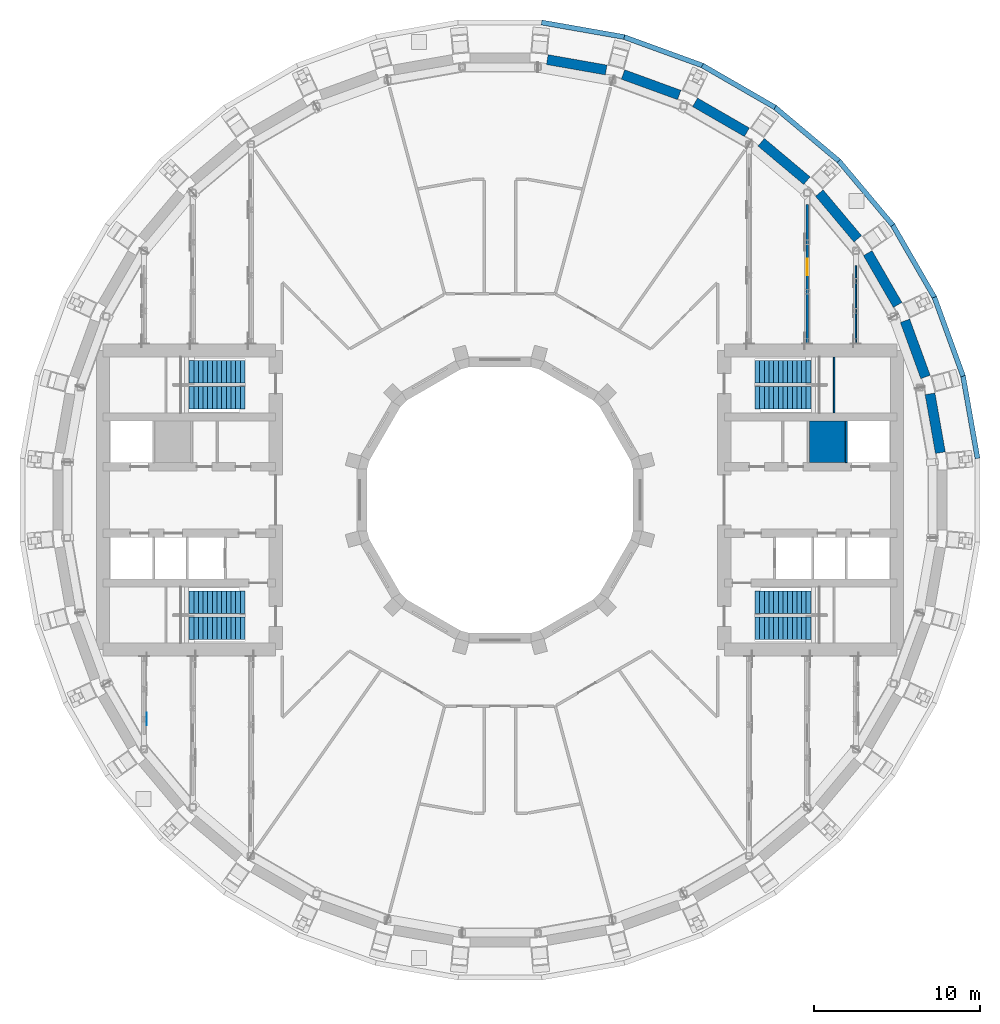
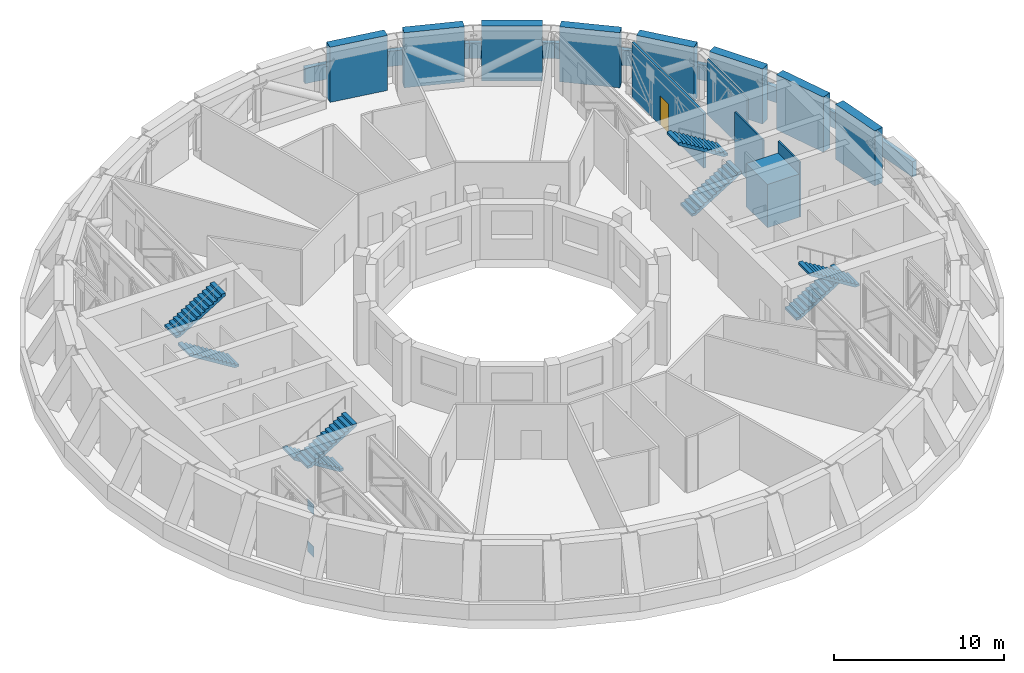
# One storey, part 13 of 19: 21 walls, 8 stair flights, 2 discrete accessories, 1 door, 1 opening, 4 elements without a shape of their own.
"""IFC4 building model written with IfcOpenShell, lengths in metres."""

from ifc_helpers import new_model, si_unit, direction, frame, frame_2d, origin, origin_2d, place, context, subcontext, project, spatial, polyline, rectangle, outline, extrude, material, layer, layer_set, material_profile, profile_set, type_object, element, fill, aggregate, save


model = new_model("IFC4")

# Units and contexts
model_context = context("Model", 3, precision=1e-05, world=origin(), true_north=direction((0.0, 1.0)))
body_context = subcontext(model_context, "Body", "Model", "MODEL_VIEW")
ifc_project = project(units=[si_unit("LENGTHUNIT", "METRE"), si_unit("AREAUNIT", "SQUARE_METRE"), si_unit("VOLUMEUNIT", "CUBIC_METRE"), si_unit("PLANEANGLEUNIT", "RADIAN"), si_unit("MASSUNIT", "GRAM", prefix="KILO")], contexts=[model_context])

# Site, building, storey
site_placement = place(None, origin())
site = spatial("IfcSite", under=ifc_project, at=site_placement, CompositionType="ELEMENT")
building_placement = place(site_placement, origin())
building = spatial("IfcBuilding", under=site, at=building_placement, Name="Saqina Gate Tower", CompositionType="ELEMENT")
storey_placement = place(building_placement, frame((0.0, 0.0, 82.39990234375)))
storey = spatial("IfcBuildingStorey", under=building, at=storey_placement, Name="L23", CompositionType="ELEMENT", Elevation=82.39990234375)

# Walls
ifc_material_1 = material(Name="Brick masonry (buff)", Category="masonry")
ifc_layer_1 = layer(ifc_material_1, 0.60009765625)
ifc_layer_set_1 = layer_set([ifc_layer_1], Name="FW-BRICK-BUFF")
wall_type_1 = type_object("IfcWallType", Name="FW-BRICK-BUFF", PredefinedType="SOLIDWALL", material=ifc_layer_set_1)
for number, where, z_axis, x_axis, name in (
    (1, (23.933349609375, 11.74072265625, 0.0), (0.0, 0.0, 1.0), (-0.499992664208, 0.866029639064, 0.0), "Facade wall L23 facet 3"),
    (2, (21.531005859375, 15.718505859375, 0.0), (0.0, 0.0, 1.0), (-0.642797301232, 0.766036310843, 0.0), "Facade wall L23 facet 4"),
    (3, (18.474365234375, 19.218505859375, 0.0), (0.0, 0.0, 1.0), (-0.766036310843, 0.642797301232, 0.0), "Facade wall L23 facet 5"),
    (4, (14.8564453125, 22.134521484375, 0.0), (0.0, 0.0, 1.0), (-0.866029639064, 0.499992664208, 0.0), "Facade wall L23 facet 6"),
    (5, (10.787109375, 24.3779296875, 0.0), (0.0, 0.0, 1.0), (-0.939690348845, 0.342026385367, 0.0), "Facade wall L23 facet 7"),
    (6, (6.39013671875, 25.880859375, 0.0), (0.0, 0.0, 1.0), (-0.984806095124, 0.173657579756, 0.0), "Facade wall L23 facet 8"),
):
    element("IfcWall", number, at=place(storey_placement, frame(where, z_axis=z_axis, x_axis=x_axis)), inside=storey, type_object=wall_type_1, Name=name, PredefinedType="SOLIDWALL", context=body_context, shape_type="SweptSolid", body=[
        extrude(rectangle(XDim=3.59765625, YDim=0.60009765625, at=frame_2d((1.798828125, 0.0))), origin(), (0.0, 0.0, 1.0), 3.9501953125),
    ])
ifc_material_2 = material(Name="Glazed ceramic tile", Category="ceramic")
ifc_layer_2 = layer(ifc_material_2, 0.60009765625)
ifc_layer_set_2 = layer_set([ifc_layer_2], Name="FW-TILE")
wall_type_2 = type_object("IfcWallType", Name="FW-TILE", PredefinedType="SOLIDWALL", material=ifc_layer_set_2)
wall_1_placement = place(storey_placement, frame((25.6083984375, 7.406494140625, 0.0), z_axis=(0.0, 0.0, 1.0), x_axis=(-0.342026385367, 0.939690348845, 0.0)))
element("IfcWall", 7, at=wall_1_placement, inside=storey, type_object=wall_type_2, Name="Facade wall L23 facet 2", PredefinedType="SOLIDWALL", context=body_context, shape_type="SweptSolid", body=[
    extrude(rectangle(XDim=3.59765625, YDim=0.60009765625, at=frame_2d((1.798828125, 0.0))), origin(), (0.0, 0.0, 1.0), 3.9501953125),
])
ifc_material_3 = material(Name="Glazed ceramic tile (white)", Category="ceramic")
ifc_layer_3 = layer(ifc_material_3, 0.60009765625)
ifc_layer_set_3 = layer_set([ifc_layer_3], Name="FW-TILE-WH")
wall_type_3 = type_object("IfcWallType", Name="FW-TILE-WH", PredefinedType="SOLIDWALL", material=ifc_layer_set_3)
wall_2_placement = place(storey_placement, frame((26.505615234375, 2.84716796875, 0.0), z_axis=(0.0, 0.0, 1.0), x_axis=(-0.173657579756, 0.984806095124, 0.0)))
element("IfcWall", 8, at=wall_2_placement, inside=storey, type_object=wall_type_3, Name="Facade wall L23 facet 1", PredefinedType="SOLIDWALL", context=body_context, shape_type="SweptSolid", body=[
    extrude(rectangle(XDim=3.59765625, YDim=0.60009765625, at=frame_2d((1.798828125, 0.0))), origin(), (0.0, 0.0, 1.0), 3.9501953125),
])
ifc_material_4 = material(Name="Concrete C40/50", Category="concrete")
ifc_layer_4 = layer(ifc_material_4, 2.5)
ifc_layer_set_4 = layer_set([ifc_layer_4], Name="Concrete C40/50")
wall_type_4 = type_object("IfcWallType", Name="LIFT PIT PEDESTAL 2500", PredefinedType="SOLIDWALL", material=ifc_layer_set_4)
wall_3_placement = place(storey_placement, frame((18.6201171875, 3.5, 0.0), z_axis=(0.0, 0.0, 1.0), x_axis=(1.0, 0.0, 0.0)))
element("IfcWall", 9, at=wall_3_placement, inside=storey, type_object=wall_type_4, Name="LIFT PIT BASE MR1", PredefinedType="SOLIDWALL", context=body_context, shape_type="SweptSolid", body=[
    extrude(rectangle(XDim=2.159912109375, YDim=2.5, at=frame_2d((1.080078125, 0.0))), origin(), (0.0, 0.0, 1.0), 3.10009765625),
])
ifc_material_5 = material(Name="Brick masonry (buff)", Category="masonry")
ifc_layer_5 = layer(ifc_material_5, 0.300048828125)
ifc_layer_set_5 = layer_set([ifc_layer_5], Name="PA-ROOF")
wall_type_5 = type_object("IfcWallType", Name="PA-ROOF", PredefinedType="PARAPET", material=ifc_layer_set_5)
wall_4_placement = place(storey_placement, frame((28.741943359375, 2.50146484375, 0.0), z_axis=(0.0, 0.0, 1.0), x_axis=(-0.173672372016, 0.984803486589, 0.0)))
element("IfcWall", 10, at=wall_4_placement, inside=storey, type_object=wall_type_5, Name="Parapet L23 edge 1", PredefinedType="PARAPET", context=body_context, shape_type="SweptSolid", body=[
    extrude(rectangle(XDim=5.05517578125, YDim=0.300048828125, at=frame_2d((2.527587890625, 0.0))), origin(), (0.0, 0.0, 1.0), 1.10009765625),
])
for number, where, z_axis, x_axis, name in (
    (11, (27.870849609375, 7.454345703125, 0.0), (0.0, 0.0, 1.0), (-0.341987354158, 0.939704554419, 0.0), "Parapet L23 edge 2"),
    (12, (26.153076171875, 12.180908203125, 0.0), (0.0, 0.0, 1.0), (-0.500019282102, 0.866014270972, 0.0), "Parapet L23 edge 3"),
    (13, (23.640380859375, 16.537353515625, 0.0), (0.0, 0.0, 1.0), (-0.64278876462, 0.766043474013, 0.0), "Parapet L23 edge 4"),
    (14, (20.40966796875, 20.39111328125, 0.0), (0.0, 0.0, 1.0), (-0.766043474013, 0.64278876462, 0.0), "Parapet L23 edge 5"),
    (15, (16.55859375, 23.62548828125, 0.0), (0.0, 0.0, 1.0), (-0.866014270972, 0.500019282102, 0.0), "Parapet L23 edge 6"),
    (16, (12.20458984375, 26.14208984375, 0.0), (0.0, 0.0, 1.0), (-0.939704554419, 0.341987354158, 0.0), "Parapet L23 edge 7"),
):
    element("IfcWall", number, at=place(storey_placement, frame(where, z_axis=z_axis, x_axis=x_axis)), inside=storey, type_object=wall_type_5, Name=name, PredefinedType="PARAPET", context=body_context, shape_type="SweptSolid", body=[
        extrude(rectangle(XDim=5.054931640625, YDim=0.300048828125, at=frame_2d((2.52734375, 0.0))), origin(), (0.0, 0.0, 1.0), 1.10009765625),
    ])
wall_5_placement = place(storey_placement, frame((7.479736328125, 27.864013671875, 0.0), z_axis=(0.0, 0.0, 1.0), x_axis=(-0.984803486589, 0.173672372016, 0.0)))
element("IfcWall", 17, at=wall_5_placement, inside=storey, type_object=wall_type_5, Name="Parapet L23 edge 8", PredefinedType="PARAPET", context=body_context, shape_type="SweptSolid", body=[
    extrude(rectangle(XDim=5.05517578125, YDim=0.300048828125, at=frame_2d((2.527587890625, 0.0))), origin(), (0.0, 0.0, 1.0), 1.10009765625),
])
ifc_material_6 = material(Name="Autoclaved aerated concrete block", Category="concrete")
ifc_layer_6 = layer(ifc_material_6, 0.1201171875)
ifc_layer_set_6 = layer_set([ifc_layer_6], Name="SHAFT PARTITION")
wall_type_6 = type_object("IfcWallType", Name="SHAFT PARTITION", PredefinedType="PARTITIONING", material=ifc_layer_set_6)
wall_6_placement = place(storey_placement, frame((20.840087890625, 2.25, 0.0), z_axis=(0.0, 0.0, 1.0), x_axis=(0.0, 1.0, 0.0)))
element("IfcWall", 18, at=wall_6_placement, inside=storey, type_object=wall_type_6, Name="L23-CP-E03", PredefinedType="PARTITIONING", context=body_context, shape_type="SweptSolid", body=[
    extrude(rectangle(XDim=2.5, YDim=0.1201171875, at=frame_2d((1.25, 0.0))), origin(), (0.0, 0.0, 1.0), 3.9501953125),
])
ifc_material_7 = material(Name="Gypsum board on steel studs, 100 mm", Category="steel")
ifc_layer_7 = layer(ifc_material_7, 0.10009765625)
ifc_layer_set_7 = layer_set([ifc_layer_7], Name="SPECIAL PARTITION 100")
wall_type_7 = type_object("IfcWallType", Name="SPECIAL PARTITION 100", PredefinedType="PARTITIONING", material=ifc_layer_set_7)
wall_7_placement = place(storey_placement, frame((21.4208984375, 9.39990234375, 0.0), z_axis=(0.0, 0.0, 1.0), x_axis=(0.0, 1.0, 0.0)))
element("IfcWall", 19, at=wall_7_placement, inside=storey, type_object=wall_type_7, Name="PARTITION 028", PredefinedType="PARTITIONING", context=body_context, shape_type="SweptSolid", body=[
    extrude(rectangle(XDim=4.7021484375, YDim=0.10009765625, at=frame_2d((2.35107421875, 0.0))), origin(), (0.0, 0.0, 1.0), 3.9501953125),
])

# Wall, opening, door
ifc_material_8 = material(Name="Masonry block and plaster, 150 mm, fire rated", Category="masonry")
ifc_layer_8 = layer(ifc_material_8, 0.14990234375)
ifc_layer_set_8 = layer_set([ifc_layer_8], Name="SPECIAL PARTITION EI 60 150")
wall_type_8 = type_object("IfcWallType", Name="SPECIAL PARTITION EI 60 150", PredefinedType="PARTITIONING", material=ifc_layer_set_8)
wall_8_placement = place(storey_placement, frame((18.490966796875, 9.39990234375, 0.0), z_axis=(0.0, 0.0, 1.0), x_axis=(0.0, 1.0, 0.0)))
wall_8 = element("IfcWall", 20, at=wall_8_placement, inside=storey, type_object=wall_type_8, Name="PARTITION 030", PredefinedType="PARTITIONING", context=body_context, shape_type="SweptSolid", body=[
    extrude(rectangle(XDim=8.39404296875, YDim=0.14990234375, at=frame_2d((4.197021484375, 0.0))), origin(), (0.0, 0.0, 1.0), 3.9501953125),
])
opening_placement = place(wall_8_placement, frame((4.12939453125, 0.0, 0.0)))
opening = element("IfcOpeningElement", 21, at=opening_placement, cuts=wall_8, Name="Opening L23-D01", PredefinedType="OPENING", context=body_context, shape_type="SweptSolid", body=[
    extrude(rectangle(XDim=1.0, YDim=2.10009765625, at=frame_2d((0.5, 1.050048828125))), frame((0.0, 0.0869140625, 0.0), z_axis=(0.0, -1.0, 0.0), x_axis=(1.0, 0.0, 0.0)), (0.0, 0.0, 1.0), 0.173828125),
])
ifc_material_9 = material(Name="Steel-framed fire door leaf, EI 60", Category="steel")
door_type = type_object("IfcDoorType", Name="SPECIAL DOOR 1000 FIRE EI 60", OperationType="SINGLE_SWING_LEFT", PredefinedType="DOOR", material=ifc_material_9)
door_placement = place(opening_placement, origin())
door = element("IfcDoor", 22, at=door_placement, inside=storey, type_object=door_type, Name="DOOR L23-D01", OperationType="SINGLE_SWING_RIGHT", OverallHeight=2.10009765625, OverallWidth=1.0, PredefinedType="DOOR", context=body_context, shape_type="SweptSolid", body=[
    extrude(rectangle(XDim=1.0, YDim=2.10009765625, at=frame_2d((0.5, 1.050048828125))), frame((0.0, 0.02490234375, 0.0), z_axis=(0.0, -1.0, 0.0), x_axis=(1.0, 0.0, 0.0)), (0.0, 0.0, 1.0), 0.050048828125),
])
fill(opening, door)

# Wall
ifc_material_10 = material(Name="Autoclaved aerated concrete block", Category="concrete")
ifc_layer_9 = layer(ifc_material_10, 0.10009765625)
ifc_layer_set_9 = layer_set([ifc_layer_9], Name="STAIR ENCLOSURE WALL")
wall_type_9 = type_object("IfcWallType", Name="STAIR ENCLOSURE WALL", PredefinedType="PARTITIONING", material=ifc_layer_set_9)
wall_9_placement = place(storey_placement, frame((20.110107421875, 5.25, 0.0), z_axis=(0.0, 0.0, 1.0), x_axis=(0.0, 1.0, 0.0)))
element("IfcWall", 23, at=wall_9_placement, inside=storey, type_object=wall_type_9, Name="L23-CP-E07", PredefinedType="PARTITIONING", context=body_context, shape_type="SweptSolid", body=[
    extrude(rectangle(XDim=3.35009765625, YDim=0.10009765625, at=frame_2d((1.675048828125, 0.0))), origin(), (0.0, 0.0, 1.0), 3.9501953125),
])

# Stair, stair flights
ifc_material_11 = material(Name="Concrete C40/50", Category="concrete")
stair_type = type_object("IfcStairType", Name="EXIT STAIR", PredefinedType="HALF_TURN_STAIR", material=ifc_material_11)
stair_1_placement = place(storey_placement, origin())
stair_1 = element("IfcStair", 24, at=stair_1_placement, inside=storey, type_object=stair_type, Name="EXIT STAIR 1", PredefinedType="HALF_TURN_STAIR")
ifc_material_12 = material(Name="Concrete C40/50", Category="concrete")
stair_flight_type = type_object("IfcStairFlightType", Name="EXIT STAIR FLIGHT", PredefinedType="STRAIGHT", material=ifc_material_12)
stair_flight_1_placement = place(storey_placement, frame((15.35009765625, 6.1416015625, 0.0), z_axis=(0.0, 0.0, 1.0), x_axis=(1.0, 0.0, 0.0)))
stair_flight_1 = element("IfcStairFlight", 25, at=stair_flight_1_placement, type_object=stair_flight_type, Name="EXIT STAIR 1 FLIGHT 1", NumberOfRisers=13, NumberOfTreads=12, PredefinedType="STRAIGHT", RiserHeight=0.173076923, TreadLength=0.28, context=body_context, shape_type="SweptSolid", body=[
    extrude(outline(polyline([(0.0, 0.0), (0.0, 0.173095703125), (0.280029296875, 0.173095703125), (0.280029296875, 0.34619140625), (0.56005859375, 0.34619140625), (0.56005859375, 0.519287109375), (0.840087890625, 0.519287109375), (0.840087890625, 0.6923828125), (1.1201171875, 0.6923828125), (1.1201171875, 0.865478515625), (1.39990234375, 0.865478515625), (1.39990234375, 1.03857421875), (1.679931640625, 1.03857421875), (1.679931640625, 1.21142578125), (1.9599609375, 1.21142578125), (1.9599609375, 1.384521484375), (2.239990234375, 1.384521484375), (2.239990234375, 1.5576171875), (2.52001953125, 1.5576171875), (2.52001953125, 1.730712890625), (2.800048828125, 1.730712890625), (2.800048828125, 1.90380859375), (3.080078125, 1.90380859375), (3.080078125, 2.076904296875), (3.360107421875, 2.076904296875), (3.360107421875, 2.25), (3.360107421875, 1.900634765625), (0.28515625, 0.0), (0.0, 0.0)])), frame((0.0, 0.675048828125, 0.0), z_axis=(0.0, -1.0, 0.0), x_axis=(1.0, 0.0, 0.0)), (0.0, 0.0, 1.0), 1.35009765625),
])
stair_flight_2_placement = place(storey_placement, frame((18.7099609375, 7.708251953125, 2.25), z_axis=(0.0, 0.0, 1.0), x_axis=(-1.0, 0.0, 0.0)))
stair_flight_2 = element("IfcStairFlight", 26, at=stair_flight_2_placement, type_object=stair_flight_type, Name="EXIT STAIR 1 FLIGHT 2", NumberOfRisers=13, NumberOfTreads=12, PredefinedType="STRAIGHT", RiserHeight=0.173076923, TreadLength=0.28, context=body_context, shape_type="SweptSolid", body=[
    extrude(outline(polyline([(0.0, 0.0), (0.0, 0.173095703125), (0.280029296875, 0.173095703125), (0.280029296875, 0.34619140625), (0.56005859375, 0.34619140625), (0.56005859375, 0.519287109375), (0.840087890625, 0.519287109375), (0.840087890625, 0.6923828125), (1.1201171875, 0.6923828125), (1.1201171875, 0.865478515625), (1.39990234375, 0.865478515625), (1.39990234375, 1.03857421875), (1.679931640625, 1.03857421875), (1.679931640625, 1.21142578125), (1.9599609375, 1.21142578125), (1.9599609375, 1.384521484375), (2.239990234375, 1.384521484375), (2.239990234375, 1.5576171875), (2.52001953125, 1.5576171875), (2.52001953125, 1.730712890625), (2.800048828125, 1.730712890625), (2.800048828125, 1.90380859375), (3.080078125, 1.90380859375), (3.080078125, 2.076904296875), (3.360107421875, 2.076904296875), (3.360107421875, 2.25), (3.360107421875, 1.900634765625), (0.28515625, 0.0), (0.0, 0.0)])), frame((0.0, 0.675048828125, 0.0), z_axis=(0.0, -1.0, 0.0), x_axis=(1.0, 0.0, 0.0)), (0.0, 0.0, 1.0), 1.35009765625),
])
aggregate(stair_1, [stair_flight_1, stair_flight_2])

stair_2_placement = place(storey_placement, origin())
stair_2 = element("IfcStair", 27, at=stair_2_placement, inside=storey, type_object=stair_type, Name="EXIT STAIR 2", PredefinedType="HALF_TURN_STAIR")
stair_flight_3_placement = place(storey_placement, frame((15.35009765625, -6.1416015625, 0.0), z_axis=(0.0, 0.0, 1.0), x_axis=(1.0, 0.0, 0.0)))
stair_flight_3 = element("IfcStairFlight", 28, at=stair_flight_3_placement, type_object=stair_flight_type, Name="EXIT STAIR 2 FLIGHT 1", NumberOfRisers=13, NumberOfTreads=12, PredefinedType="STRAIGHT", RiserHeight=0.173076923, TreadLength=0.28, context=body_context, shape_type="SweptSolid", body=[
    extrude(outline(polyline([(0.0, 0.0), (0.0, 0.173095703125), (0.280029296875, 0.173095703125), (0.280029296875, 0.34619140625), (0.56005859375, 0.34619140625), (0.56005859375, 0.519287109375), (0.840087890625, 0.519287109375), (0.840087890625, 0.6923828125), (1.1201171875, 0.6923828125), (1.1201171875, 0.865478515625), (1.39990234375, 0.865478515625), (1.39990234375, 1.03857421875), (1.679931640625, 1.03857421875), (1.679931640625, 1.21142578125), (1.9599609375, 1.21142578125), (1.9599609375, 1.384521484375), (2.239990234375, 1.384521484375), (2.239990234375, 1.5576171875), (2.52001953125, 1.5576171875), (2.52001953125, 1.730712890625), (2.800048828125, 1.730712890625), (2.800048828125, 1.90380859375), (3.080078125, 1.90380859375), (3.080078125, 2.076904296875), (3.360107421875, 2.076904296875), (3.360107421875, 2.25), (3.360107421875, 1.900634765625), (0.28515625, 0.0), (0.0, 0.0)])), frame((0.0, 0.675048828125, 0.0), z_axis=(0.0, -1.0, 0.0), x_axis=(1.0, 0.0, 0.0)), (0.0, 0.0, 1.0), 1.35009765625),
])
stair_flight_4_placement = place(storey_placement, frame((18.7099609375, -7.708251953125, 2.25), z_axis=(0.0, 0.0, 1.0), x_axis=(-1.0, 0.0, 0.0)))
stair_flight_4 = element("IfcStairFlight", 29, at=stair_flight_4_placement, type_object=stair_flight_type, Name="EXIT STAIR 2 FLIGHT 2", NumberOfRisers=13, NumberOfTreads=12, PredefinedType="STRAIGHT", RiserHeight=0.173076923, TreadLength=0.28, context=body_context, shape_type="SweptSolid", body=[
    extrude(outline(polyline([(0.0, 0.0), (0.0, 0.173095703125), (0.280029296875, 0.173095703125), (0.280029296875, 0.34619140625), (0.56005859375, 0.34619140625), (0.56005859375, 0.519287109375), (0.840087890625, 0.519287109375), (0.840087890625, 0.6923828125), (1.1201171875, 0.6923828125), (1.1201171875, 0.865478515625), (1.39990234375, 0.865478515625), (1.39990234375, 1.03857421875), (1.679931640625, 1.03857421875), (1.679931640625, 1.21142578125), (1.9599609375, 1.21142578125), (1.9599609375, 1.384521484375), (2.239990234375, 1.384521484375), (2.239990234375, 1.5576171875), (2.52001953125, 1.5576171875), (2.52001953125, 1.730712890625), (2.800048828125, 1.730712890625), (2.800048828125, 1.90380859375), (3.080078125, 1.90380859375), (3.080078125, 2.076904296875), (3.360107421875, 2.076904296875), (3.360107421875, 2.25), (3.360107421875, 1.900634765625), (0.28515625, 0.0), (0.0, 0.0)])), frame((0.0, 0.675048828125, 0.0), z_axis=(0.0, -1.0, 0.0), x_axis=(1.0, 0.0, 0.0)), (0.0, 0.0, 1.0), 1.35009765625),
])
aggregate(stair_2, [stair_flight_3, stair_flight_4])

stair_3_placement = place(storey_placement, origin())
stair_3 = element("IfcStair", 30, at=stair_3_placement, inside=storey, type_object=stair_type, Name="EXIT STAIR 3", PredefinedType="HALF_TURN_STAIR")
stair_flight_5_placement = place(storey_placement, frame((-15.35009765625, 6.1416015625, 0.0), z_axis=(0.0, 0.0, 1.0), x_axis=(-1.0, 0.0, 0.0)))
stair_flight_5 = element("IfcStairFlight", 31, at=stair_flight_5_placement, type_object=stair_flight_type, Name="EXIT STAIR 3 FLIGHT 1", NumberOfRisers=13, NumberOfTreads=12, PredefinedType="STRAIGHT", RiserHeight=0.173076923, TreadLength=0.28, context=body_context, shape_type="SweptSolid", body=[
    extrude(outline(polyline([(0.0, 0.0), (0.0, 0.173095703125), (0.280029296875, 0.173095703125), (0.280029296875, 0.34619140625), (0.56005859375, 0.34619140625), (0.56005859375, 0.519287109375), (0.840087890625, 0.519287109375), (0.840087890625, 0.6923828125), (1.1201171875, 0.6923828125), (1.1201171875, 0.865478515625), (1.39990234375, 0.865478515625), (1.39990234375, 1.03857421875), (1.679931640625, 1.03857421875), (1.679931640625, 1.21142578125), (1.9599609375, 1.21142578125), (1.9599609375, 1.384521484375), (2.239990234375, 1.384521484375), (2.239990234375, 1.5576171875), (2.52001953125, 1.5576171875), (2.52001953125, 1.730712890625), (2.800048828125, 1.730712890625), (2.800048828125, 1.90380859375), (3.080078125, 1.90380859375), (3.080078125, 2.076904296875), (3.360107421875, 2.076904296875), (3.360107421875, 2.25), (3.360107421875, 1.900634765625), (0.28515625, 0.0), (0.0, 0.0)])), frame((0.0, 0.675048828125, 0.0), z_axis=(0.0, -1.0, 0.0), x_axis=(1.0, 0.0, 0.0)), (0.0, 0.0, 1.0), 1.35009765625),
])
stair_flight_6_placement = place(storey_placement, frame((-18.7099609375, 7.708251953125, 2.25), z_axis=(0.0, 0.0, 1.0), x_axis=(1.0, 0.0, 0.0)))
stair_flight_6 = element("IfcStairFlight", 32, at=stair_flight_6_placement, type_object=stair_flight_type, Name="EXIT STAIR 3 FLIGHT 2", NumberOfRisers=13, NumberOfTreads=12, PredefinedType="STRAIGHT", RiserHeight=0.173076923, TreadLength=0.28, context=body_context, shape_type="SweptSolid", body=[
    extrude(outline(polyline([(0.0, 0.0), (0.0, 0.173095703125), (0.280029296875, 0.173095703125), (0.280029296875, 0.34619140625), (0.56005859375, 0.34619140625), (0.56005859375, 0.519287109375), (0.840087890625, 0.519287109375), (0.840087890625, 0.6923828125), (1.1201171875, 0.6923828125), (1.1201171875, 0.865478515625), (1.39990234375, 0.865478515625), (1.39990234375, 1.03857421875), (1.679931640625, 1.03857421875), (1.679931640625, 1.21142578125), (1.9599609375, 1.21142578125), (1.9599609375, 1.384521484375), (2.239990234375, 1.384521484375), (2.239990234375, 1.5576171875), (2.52001953125, 1.5576171875), (2.52001953125, 1.730712890625), (2.800048828125, 1.730712890625), (2.800048828125, 1.90380859375), (3.080078125, 1.90380859375), (3.080078125, 2.076904296875), (3.360107421875, 2.076904296875), (3.360107421875, 2.25), (3.360107421875, 1.900634765625), (0.28515625, 0.0), (0.0, 0.0)])), frame((0.0, 0.675048828125, 0.0), z_axis=(0.0, -1.0, 0.0), x_axis=(1.0, 0.0, 0.0)), (0.0, 0.0, 1.0), 1.35009765625),
])
aggregate(stair_3, [stair_flight_5, stair_flight_6])

stair_4_placement = place(storey_placement, origin())
stair_4 = element("IfcStair", 33, at=stair_4_placement, inside=storey, type_object=stair_type, Name="EXIT STAIR 4", PredefinedType="HALF_TURN_STAIR")
stair_flight_7_placement = place(storey_placement, frame((-15.35009765625, -6.1416015625, 0.0), z_axis=(0.0, 0.0, 1.0), x_axis=(-1.0, 0.0, 0.0)))
stair_flight_7 = element("IfcStairFlight", 34, at=stair_flight_7_placement, type_object=stair_flight_type, Name="EXIT STAIR 4 FLIGHT 1", NumberOfRisers=13, NumberOfTreads=12, PredefinedType="STRAIGHT", RiserHeight=0.173076923, TreadLength=0.28, context=body_context, shape_type="SweptSolid", body=[
    extrude(outline(polyline([(0.0, 0.0), (0.0, 0.173095703125), (0.280029296875, 0.173095703125), (0.280029296875, 0.34619140625), (0.56005859375, 0.34619140625), (0.56005859375, 0.519287109375), (0.840087890625, 0.519287109375), (0.840087890625, 0.6923828125), (1.1201171875, 0.6923828125), (1.1201171875, 0.865478515625), (1.39990234375, 0.865478515625), (1.39990234375, 1.03857421875), (1.679931640625, 1.03857421875), (1.679931640625, 1.21142578125), (1.9599609375, 1.21142578125), (1.9599609375, 1.384521484375), (2.239990234375, 1.384521484375), (2.239990234375, 1.5576171875), (2.52001953125, 1.5576171875), (2.52001953125, 1.730712890625), (2.800048828125, 1.730712890625), (2.800048828125, 1.90380859375), (3.080078125, 1.90380859375), (3.080078125, 2.076904296875), (3.360107421875, 2.076904296875), (3.360107421875, 2.25), (3.360107421875, 1.900634765625), (0.28515625, 0.0), (0.0, 0.0)])), frame((0.0, 0.675048828125, 0.0), z_axis=(0.0, -1.0, 0.0), x_axis=(1.0, 0.0, 0.0)), (0.0, 0.0, 1.0), 1.35009765625),
])
stair_flight_8_placement = place(storey_placement, frame((-18.7099609375, -7.708251953125, 2.25), z_axis=(0.0, 0.0, 1.0), x_axis=(1.0, 0.0, 0.0)))
stair_flight_8 = element("IfcStairFlight", 35, at=stair_flight_8_placement, type_object=stair_flight_type, Name="EXIT STAIR 4 FLIGHT 2", NumberOfRisers=13, NumberOfTreads=12, PredefinedType="STRAIGHT", RiserHeight=0.173076923, TreadLength=0.28, context=body_context, shape_type="SweptSolid", body=[
    extrude(outline(polyline([(0.0, 0.0), (0.0, 0.173095703125), (0.280029296875, 0.173095703125), (0.280029296875, 0.34619140625), (0.56005859375, 0.34619140625), (0.56005859375, 0.519287109375), (0.840087890625, 0.519287109375), (0.840087890625, 0.6923828125), (1.1201171875, 0.6923828125), (1.1201171875, 0.865478515625), (1.39990234375, 0.865478515625), (1.39990234375, 1.03857421875), (1.679931640625, 1.03857421875), (1.679931640625, 1.21142578125), (1.9599609375, 1.21142578125), (1.9599609375, 1.384521484375), (2.239990234375, 1.384521484375), (2.239990234375, 1.5576171875), (2.52001953125, 1.5576171875), (2.52001953125, 1.730712890625), (2.800048828125, 1.730712890625), (2.800048828125, 1.90380859375), (3.080078125, 1.90380859375), (3.080078125, 2.076904296875), (3.360107421875, 2.076904296875), (3.360107421875, 2.25), (3.360107421875, 1.900634765625), (0.28515625, 0.0), (0.0, 0.0)])), frame((0.0, 0.675048828125, 0.0), z_axis=(0.0, -1.0, 0.0), x_axis=(1.0, 0.0, 0.0)), (0.0, 0.0, 1.0), 1.35009765625),
])
aggregate(stair_4, [stair_flight_7, stair_flight_8])

# Discrete accessories
ifc_material_13 = material(Name="Steel S460", Category="steel")
ifc_material_profile = material_profile(ifc_material_13, rectangle(XDim=0.75, YDim=0.75, at=origin_2d()), Name="STR-END PLATE-GUSSET 750x750x20")
ifc_profile_set = profile_set([ifc_material_profile], Name="Steel S460")
discrete_accessory_type = type_object("IfcDiscreteAccessoryType", Name="STR-END PLATE-GUSSET 750x750x20", PredefinedType="USERDEFINED", material=ifc_profile_set)
for number, where, z_axis, x_axis, name in (
    (36, (-21.267333984375, -13.188720703125, 0.31005859375), (1.0, 0.0, 0.0), (0.0, 1.0, 0.0), "GUSSET PLATE OUTRIGGER TRUSS L23 CHORD 153"),
    (37, (-21.268310546875, -13.188720703125, 3.330078125), (1.0, 0.0, 0.0), (0.0, 1.0, 0.0), "GUSSET PLATE OUTRIGGER TRUSS L23 POST 159"),
):
    element("IfcDiscreteAccessory", number, at=place(storey_placement, frame(where, z_axis=z_axis, x_axis=x_axis)), inside=storey, type_object=discrete_accessory_type, Name=name, ObjectType="GUSSET PLATE", PredefinedType="USERDEFINED", context=body_context, shape_type="SweptSolid", body=[
        extrude(rectangle(XDim=0.75, YDim=0.75, at=origin_2d()), origin(), (0.0, 0.0, 1.0), 0.02001953125),
    ])

save(model, "model.ifc")
